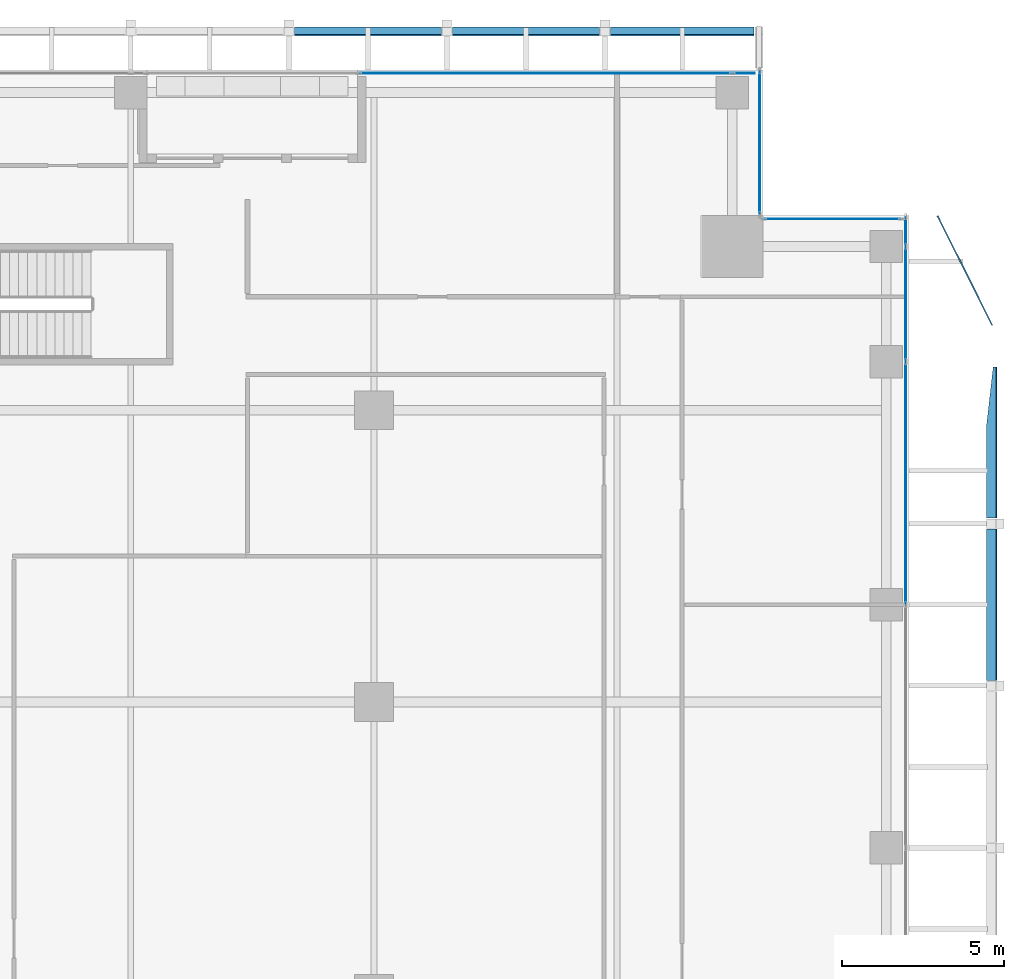
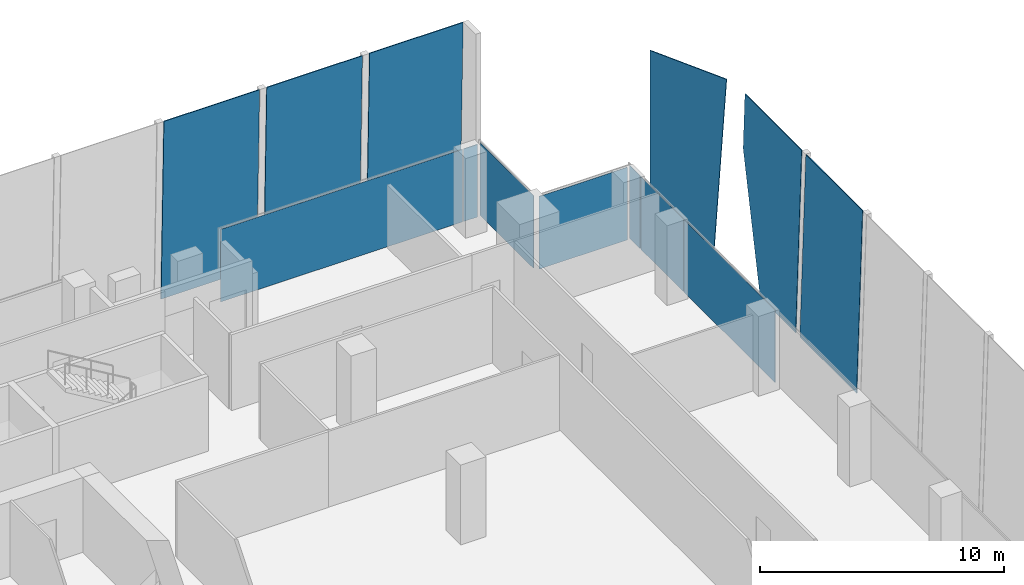
# One storey, part 27 of 35: 13 plates, 4 elements without a shape of their own.
"""IFC4 building model written with IfcOpenShell, lengths in metres."""

from ifc_helpers import new_model, si_unit, direction, frame, origin, origin_2d, place, context, subcontext, project, spatial, polyline, rectangle, outline, extrude, source, transform, mapped, material, layer, layer_set, type_object, element, aggregate, save


model = new_model("IFC4")

# Units and contexts
model_context = context("Model", 3, precision=1e-05, world=origin(), true_north=direction((0.0, 1.0)))
body_context = subcontext(model_context, "Body", "Model", "MODEL_VIEW")
ifc_project = project(units=[si_unit("LENGTHUNIT", "METRE"), si_unit("AREAUNIT", "SQUARE_METRE"), si_unit("VOLUMEUNIT", "CUBIC_METRE"), si_unit("PLANEANGLEUNIT", "RADIAN"), si_unit("MASSUNIT", "GRAM", prefix="KILO")], contexts=[model_context])

# Site, building, storey
site_placement = place(None, origin())
site = spatial("IfcSite", under=ifc_project, at=site_placement, CompositionType="ELEMENT")
building_placement = place(site_placement, origin())
building = spatial("IfcBuilding", under=site, at=building_placement, Name="Khomas Fold Tower", CompositionType="ELEMENT")
storey_placement = place(building_placement, frame((0.0, 0.0, 212.699951171875)))
storey = spatial("IfcBuildingStorey", under=building, at=storey_placement, Name="L47", CompositionType="ELEMENT", Elevation=212.699951171875)

# Plates
ifc_material_1 = material(Name="Clear laminated glass", Category="glass")
ifc_layer_1 = layer(ifc_material_1, 0.0400390625)
ifc_layer_set_1 = layer_set([ifc_layer_1], Name="Clear laminated glass")
plate_type_1 = type_object("IfcPlateType", Name="SK-Clear laminated glass leaf", PredefinedType="SHEET", material=ifc_layer_set_1)
plate_1_placement = place(storey_placement, frame((53.402587890625, 32.169921875, 0.0), z_axis=(-0.999510733566, 0.0, 0.031277683534), x_axis=(0.031277683534, 0.0, 0.999510733566)))
element("IfcPlate", 1, at=plate_1_placement, inside=storey, type_object=plate_type_1, Name="OUTER SKIN glass L47 EG104-10", PredefinedType="SHEET", context=body_context, shape_type="SweptSolid", body=[
    extrude(outline(polyline([(0.0, 0.0), (9.05447888072287, 0.0), (9.05447888072287, 4.66015625), (0.0, 4.66015625), (0.0, 0.0)])), origin(), (0.0, 0.0, -1.0), 0.0400390625),
])
plate_2_placement = place(storey_placement, frame((53.402587890625, 40.08154296875, 0.0), z_axis=(-0.99951083673, 1.7104921e-05, 0.031274381968), x_axis=(-1.7096554e-05, -0.999999999854, 5.34946e-07)))
element("IfcPlate", 2, at=plate_2_placement, inside=storey, type_object=plate_type_1, Name="OUTER SKIN glass L47 EG105-12", PredefinedType="SHEET", context=body_context, shape_type="SweptSolid", body=[
    extrude(outline(polyline([(0.0, 0.0), (2.911621093324061, 0.0), (2.9116210928124775, 9.054478880673473), (-1.7485351565057916, 9.054478880673473), (-1.7485351587211295, 6.364934883544959), (0.0, 0.0)])), origin(), (0.0, 0.0, -1.0), 0.0400390625),
])
plate_3_placement = place(storey_placement, frame((53.302490234375, 43.695068359375, 0.0), z_axis=(0.894413048516, 0.447241879348, 1.106367e-06), x_axis=(0.031217652185, -0.062432836493, 0.997560824772)))
element("IfcPlate", 3, at=plate_3_placement, inside=storey, type_object=plate_type_1, Name="OUTER SKIN glass L47 EG106-13", PredefinedType="SHEET", context=body_context, shape_type="SweptSolid", body=[
    extrude(outline(polyline([(0.0, 0.0), (9.072177458658714, 0.0), (8.809068833787702, -3.7601308983257518), (-0.2189053394220951, -3.128414095317208), (0.0, 0.0)])), origin(), (0.0, 0.0, -1.0), 0.0400390625),
])
for number, where, z_axis, x_axis, name in (
    (4, (32.044921875, 52.328125, 0.0009765625), (0.0, 0.999657103303, 0.026185412267), (1.0, 0.0, 0.0), "OUTER SKIN glass L47 N11"),
    (5, (36.919921875, 52.328125, 0.0009765625), (0.0, 0.999657103303, 0.026185412267), (1.0, 0.0, 0.0), "OUTER SKIN glass L47 N13"),
):
    element("IfcPlate", number, at=place(storey_placement, frame(where, z_axis=z_axis, x_axis=x_axis)), inside=storey, type_object=plate_type_1, Name=name, PredefinedType="SHEET", context=body_context, shape_type="SweptSolid", body=[
        extrude(outline(polyline([(0.0, 0.0), (4.53515625, 0.0), (4.53515625, -9.053153124427498), (0.0, -9.053153124427498), (0.0, 0.0)])), origin(), (0.0, 0.0, -1.0), 0.0400390625),
    ])
plate_4_placement = place(storey_placement, frame((41.794921875, 52.328125, 0.0009765625), z_axis=(0.0, 0.999657103303, 0.026185412267), x_axis=(1.0, 0.0, 0.0)))
element("IfcPlate", 6, at=plate_4_placement, inside=storey, type_object=plate_type_1, Name="OUTER SKIN glass L47 N15", PredefinedType="SHEET", context=body_context, shape_type="SweptSolid", body=[
    extrude(outline(polyline([(0.0, 0.0), (4.43505859375, 0.0), (4.43505859375, -9.053153124427498), (0.0, -9.053153124427498), (0.0, 0.0)])), origin(), (0.0, 0.0, -1.0), 0.0400390625),
])

# Curtain wall, plate
ifc_material_2 = material(Name="Aluminium framed double glazing", Category="aluminium")
curtain_wall_type = type_object("IfcCurtainWallType", Name="SK-Unitised clear-glass wall, office floors CW2", PredefinedType="NOTDEFINED", material=ifc_material_2)
curtain_wall_1_placement = place(storey_placement, origin())
curtain_wall_1 = element("IfcCurtainWall", 7, at=curtain_wall_1_placement, inside=storey, type_object=curtain_wall_type, Name="CW2 corner return L47 05", PredefinedType="NOTDEFINED")
ifc_material_3 = material(Name="Clear double glazed unit")
ifc_layer_2 = layer(ifc_material_3, 0.030029296875)
ifc_layer_set_2 = layer_set([ifc_layer_2], Name="Clear double glazed unit")
plate_type_2 = type_object("IfcPlateType", Name="SK-Unitised clear-glass wall, office floors glass panel CW2-P", PredefinedType="CURTAIN_PANEL", material=ifc_layer_set_2)
shared_shape_1 = source(origin(), body_context, "Body", "SweptSolid", [
    extrude(rectangle(XDim=4.3798828125, YDim=0.030029296875, at=origin_2d()), origin(), (0.0, 0.0, 1.0), 3.639892578125),
])
plate_5_placement = place(storey_placement, frame((46.39990234375, 48.75, 0.0), z_axis=(0.0, 0.0, 1.0), x_axis=(0.0, 1.0, 0.0)))
plate_5 = element("IfcPlate", 8, at=plate_5_placement, type_object=plate_type_2, Name="CW2 glass panel 1", PredefinedType="CURTAIN_PANEL", context=body_context, shape_type="MappedRepresentation", body=[
    mapped(shared_shape_1, transform((0.0, 0.0, 0.0))),
])
aggregate(curtain_wall_1, [plate_5])

curtain_wall_2_placement = place(storey_placement, origin())
curtain_wall_2 = element("IfcCurtainWall", 9, at=curtain_wall_2_placement, inside=storey, type_object=curtain_wall_type, Name="CW2 run L47 06-0", PredefinedType="NOTDEFINED")
shared_shape_2 = source(origin(), body_context, "Body", "SweptSolid", [
    extrude(rectangle(XDim=0.659912109375, YDim=0.030029296875, at=origin_2d()), origin(), (0.0, 0.0, 1.0), 3.639892578125),
])
plate_6_placement = place(storey_placement, frame((45.909912109375, 50.89990234375, 0.0), z_axis=(0.0, 0.0, 1.0), x_axis=(-1.0, 0.0, 0.0)))
plate_6 = element("IfcPlate", 10, at=plate_6_placement, type_object=plate_type_2, Name="CW2 glass panel 1", PredefinedType="CURTAIN_PANEL", context=body_context, shape_type="MappedRepresentation", body=[
    mapped(shared_shape_2, transform((0.0, 0.0, 0.0))),
])

# Curtain wall, plates
curtain_wall_3_placement = place(storey_placement, origin())
curtain_wall_3 = element("IfcCurtainWall", 11, at=curtain_wall_3_placement, inside=storey, type_object=curtain_wall_type, Name="CW2 run L47 03-0", PredefinedType="NOTDEFINED")
shared_shape_3 = source(origin(), body_context, "Body", "SweptSolid", [
    extrude(rectangle(XDim=3.489990234375, YDim=0.030029296875, at=origin_2d()), origin(), (0.0, 0.0, 1.0), 3.639892578125),
])
plate_7_placement = place(storey_placement, frame((50.89990234375, 43.77490234375, 0.0), z_axis=(0.0, 0.0, 1.0), x_axis=(0.0, 1.0, 0.0)))
plate_7 = element("IfcPlate", 12, at=plate_7_placement, type_object=plate_type_2, Name="CW2 glass panel 7", PredefinedType="CURTAIN_PANEL", context=body_context, shape_type="MappedRepresentation", body=[
    mapped(shared_shape_3, transform((0.0, 0.0, 0.0))),
])
shared_shape_4 = source(origin(), body_context, "Body", "SweptSolid", [
    extrude(rectangle(XDim=7.43994140625, YDim=0.030029296875, at=origin_2d()), origin(), (0.0, 0.0, 1.0), 3.639892578125),
])
plate_8_placement = place(storey_placement, frame((50.89990234375, 38.25, 0.0), z_axis=(0.0, 0.0, 1.0), x_axis=(0.0, 1.0, 0.0)))
plate_8 = element("IfcPlate", 13, at=plate_8_placement, type_object=plate_type_2, Name="CW2 glass panel 6", PredefinedType="CURTAIN_PANEL", context=body_context, shape_type="MappedRepresentation", body=[
    mapped(shared_shape_4, transform((0.0, 0.0, 0.0))),
])

# Curtain wall, plate
curtain_wall_4_placement = place(storey_placement, origin())
curtain_wall_4 = element("IfcCurtainWall", 14, at=curtain_wall_4_placement, inside=storey, type_object=curtain_wall_type, Name="CW2 corner return L47 04", PredefinedType="NOTDEFINED")
shared_shape_5 = source(origin(), body_context, "Body", "SweptSolid", [
    extrude(rectangle(XDim=4.179931640625, YDim=0.030029296875, at=origin_2d()), origin(), (0.0, 0.0, 1.0), 3.639892578125),
])
plate_9_placement = place(storey_placement, frame((48.64990234375, 46.39990234375, 0.0), z_axis=(0.0, 0.0, 1.0), x_axis=(-1.0, 0.0, 0.0)))
plate_9 = element("IfcPlate", 15, at=plate_9_placement, type_object=plate_type_2, Name="CW2 glass panel 1", PredefinedType="CURTAIN_PANEL", context=body_context, shape_type="MappedRepresentation", body=[
    mapped(shared_shape_5, transform((0.0, 0.0, 0.0))),
])
aggregate(curtain_wall_4, [plate_9])

# Plate
shared_shape_6 = source(origin(), body_context, "Body", "SweptSolid", [
    extrude(rectangle(XDim=0.860107421875, YDim=0.030029296875, at=origin_2d()), origin(), (0.0, 0.0, 1.0), 3.639892578125),
])
plate_10_placement = place(storey_placement, frame((50.89990234375, 46.010009765625, 0.0), z_axis=(0.0, 0.0, 1.0), x_axis=(0.0, 1.0, 0.0)))
plate_10 = element("IfcPlate", 16, at=plate_10_placement, type_object=plate_type_2, Name="CW2 glass panel 8", PredefinedType="CURTAIN_PANEL", context=body_context, shape_type="MappedRepresentation", body=[
    mapped(shared_shape_6, transform((0.0, 0.0, 0.0))),
])

aggregate(curtain_wall_3, [plate_8, plate_7, plate_10])

shared_shape_7 = source(origin(), body_context, "Body", "SweptSolid", [
    extrude(rectangle(XDim=11.4599609375, YDim=0.030029296875, at=origin_2d()), origin(), (0.0, 0.0, 1.0), 3.639892578125),
])
plate_11_placement = place(storey_placement, frame((39.7900390625, 50.89990234375, 0.0), z_axis=(0.0, 0.0, 1.0), x_axis=(-1.0, 0.0, 0.0)))
plate_11 = element("IfcPlate", 17, at=plate_11_placement, type_object=plate_type_2, Name="CW2 glass panel 2", PredefinedType="CURTAIN_PANEL", context=body_context, shape_type="MappedRepresentation", body=[
    mapped(shared_shape_7, transform((0.0, 0.0, 0.0))),
])

aggregate(curtain_wall_2, [plate_6, plate_11])

save(model, "model.ifc")
